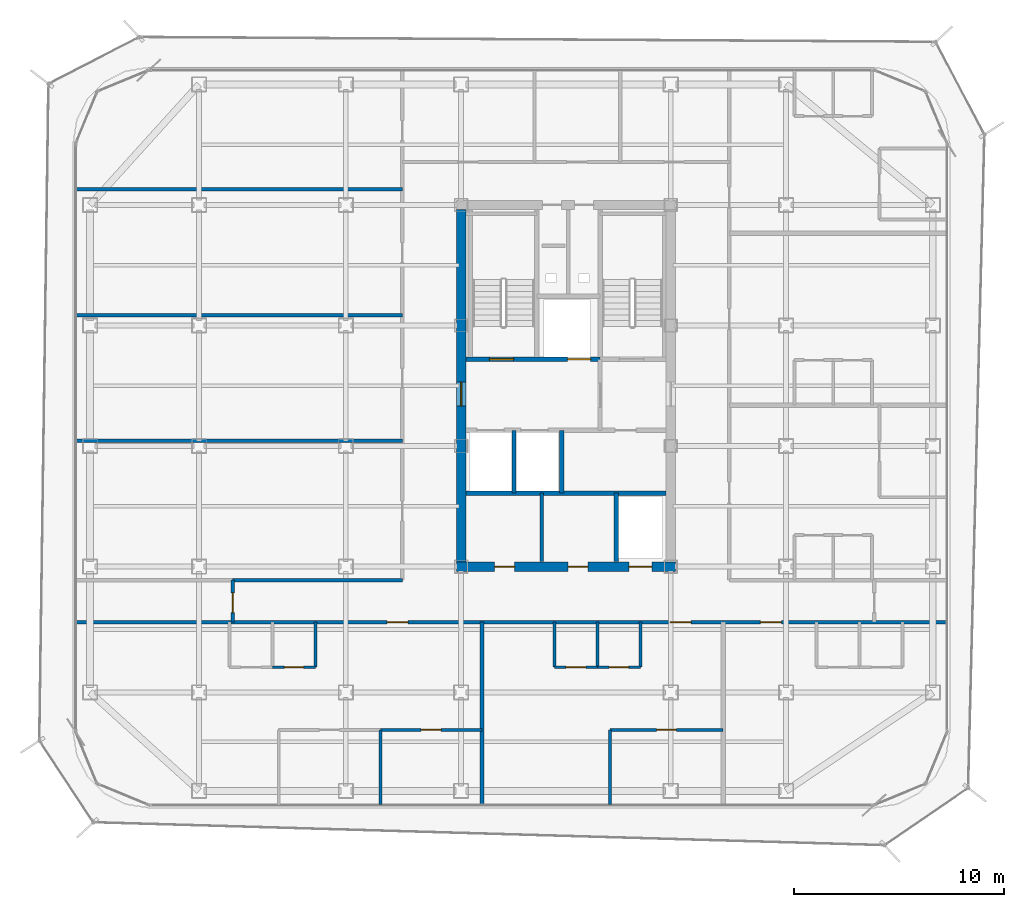
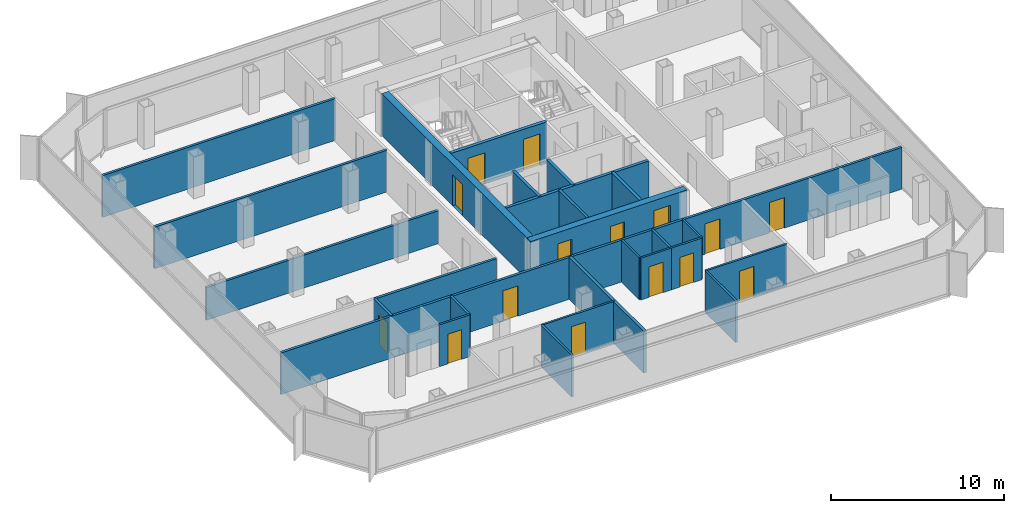
# One storey, part 10 of 15: 26 walls, 15 doors, 15 openings.
"""IFC4 building model written with IfcOpenShell, lengths in metres."""

from ifc_helpers import new_model, si_unit, direction, frame, frame_2d, origin, place, context, subcontext, project, spatial, rectangle, extrude, material, layer, layer_set, type_object, element, fill, save


model = new_model("IFC4")

# Units and contexts
model_context = context("Model", 3, precision=1e-05, world=origin(), true_north=direction((0.0, 1.0)))
body_context = subcontext(model_context, "Body", "Model", "MODEL_VIEW")
ifc_project = project(units=[si_unit("LENGTHUNIT", "METRE"), si_unit("AREAUNIT", "SQUARE_METRE"), si_unit("VOLUMEUNIT", "CUBIC_METRE"), si_unit("PLANEANGLEUNIT", "RADIAN"), si_unit("MASSUNIT", "GRAM", prefix="KILO")], contexts=[model_context])

# Site, building, storey
site_placement = place(None, origin())
site = spatial("IfcSite", under=ifc_project, at=site_placement, CompositionType="ELEMENT")
building_placement = place(site_placement, origin())
building = spatial("IfcBuilding", under=site, at=building_placement, Name="Kolveth Station Tower", CompositionType="ELEMENT")
storey_placement = place(building_placement, frame((0.0, 0.0, 202.800048828125)))
storey = spatial("IfcBuildingStorey", under=building, at=storey_placement, Name="L57", CompositionType="ELEMENT", Elevation=202.800048828125)

# Wall, openings, doors
ifc_material_1 = material(Name="Concrete C50/60", Category="concrete")
ifc_layer_1 = layer(ifc_material_1, 0.449951171875)
ifc_layer_set_1 = layer_set([ifc_layer_1], Name="Concrete C50/60")
wall_type_1 = type_object("IfcWallType", Name="Wall_CW-450", PredefinedType="SHEAR", material=ifc_layer_set_1)
wall_1_placement = place(storey_placement, frame((18.27490234375, 11.5, 0.0), z_axis=(0.0, 0.0, 1.0), x_axis=(1.0, 0.0, 0.0)))
wall_1 = element("IfcWall", 1, at=wall_1_placement, inside=storey, type_object=wall_type_1, Name="L57 Core RC Shear Wall S", PredefinedType="SHEAR", context=body_context, shape_type="SweptSolid", body=[
    extrude(rectangle(XDim=10.4501953125, YDim=0.449951171875, at=frame_2d((5.22509765625, 0.0))), origin(), (0.0, 0.0, 1.0), 2.949951171875),
])
opening_1_placement = place(wall_1_placement, frame((1.824951171875, 0.0, 0.0)))
opening_1 = element("IfcOpeningElement", 2, at=opening_1_placement, cuts=wall_1, Name="Opening ID1", PredefinedType="OPENING", context=body_context, shape_type="SweptSolid", body=[
    extrude(rectangle(XDim=0.949951171875, YDim=2.14990234375, at=frame_2d((0.47509765625, 1.074951171875))), frame((0.0, 0.23486328125, 0.0), z_axis=(0.0, -1.0, 0.0), x_axis=(1.0, 0.0, 0.0)), (0.0, 0.0, 1.0), 0.469970703125),
])
opening_2_placement = place(wall_1_placement, frame((5.324951171875, 0.0, 0.0)))
opening_2 = element("IfcOpeningElement", 3, at=opening_2_placement, cuts=wall_1, Name="Opening ID1", PredefinedType="OPENING", context=body_context, shape_type="SweptSolid", body=[
    extrude(rectangle(XDim=0.949951171875, YDim=2.14990234375, at=frame_2d((0.47509765625, 1.074951171875))), frame((0.0, 0.23486328125, 0.0), z_axis=(0.0, -1.0, 0.0), x_axis=(1.0, 0.0, 0.0)), (0.0, 0.0, 1.0), 0.469970703125),
])
opening_3_placement = place(wall_1_placement, frame((8.22509765625, 0.0, 0.0)))
opening_3 = element("IfcOpeningElement", 4, at=opening_3_placement, cuts=wall_1, Name="Opening LD1", PredefinedType="OPENING", context=body_context, shape_type="SweptSolid", body=[
    extrude(rectangle(XDim=1.10009765625, YDim=2.25, at=frame_2d((0.550048828125, 1.125))), frame((0.0, 0.23486328125, 0.0), z_axis=(0.0, -1.0, 0.0), x_axis=(1.0, 0.0, 0.0)), (0.0, 0.0, 1.0), 0.469970703125),
])
ifc_material_2 = material(Name="Acoustic hardwood leaf and aluminium frame", Category="wood")
door_type_1 = type_object("IfcDoorType", Name="Door_ID1", OperationType="NOTDEFINED", PredefinedType="DOOR", material=ifc_material_2)
door_1_placement = place(opening_1_placement, frame((0.949951171875, 0.0, 0.0), z_axis=(0.0, 0.0, 1.0), x_axis=(-1.0, 0.0, 0.0)))
door_1 = element("IfcDoor", 5, at=door_1_placement, inside=storey, type_object=door_type_1, Name="L57 Laundry Room Door", OperationType="SINGLE_SWING_LEFT", OverallHeight=2.14990234375, OverallWidth=0.949951171875, PredefinedType="DOOR", context=body_context, shape_type="SweptSolid", body=[
    extrude(rectangle(XDim=0.949951171875, YDim=2.14990234375, at=frame_2d((0.47509765625, 1.074951171875))), frame((0.0, 0.02490234375, 0.0), z_axis=(0.0, -1.0, 0.0), x_axis=(1.0, 0.0, 0.0)), (0.0, 0.0, 1.0), 0.050048828125),
])
fill(opening_1, door_1)
door_2_placement = place(opening_2_placement, frame((0.949951171875, 0.0, 0.0), z_axis=(0.0, 0.0, 1.0), x_axis=(-1.0, 0.0, 0.0)))
door_2 = element("IfcDoor", 6, at=door_2_placement, inside=storey, type_object=door_type_1, Name="L57 Parcel Room Door", OperationType="SINGLE_SWING_LEFT", OverallHeight=2.14990234375, OverallWidth=0.949951171875, PredefinedType="DOOR", context=body_context, shape_type="SweptSolid", body=[
    extrude(rectangle(XDim=0.949951171875, YDim=2.14990234375, at=frame_2d((0.47509765625, 1.074951171875))), frame((0.0, 0.02490234375, 0.0), z_axis=(0.0, -1.0, 0.0), x_axis=(1.0, 0.0, 0.0)), (0.0, 0.0, 1.0), 0.050048828125),
])
fill(opening_2, door_2)
ifc_material_3 = material(Name="Brushed stainless steel sliding landing doors", Category="steel")
door_type_2 = type_object("IfcDoorType", Name="Door_LD1", OperationType="NOTDEFINED", PredefinedType="DOOR", material=ifc_material_3)
door_3_placement = place(opening_3_placement, frame((1.10009765625, 0.0, 0.0), z_axis=(0.0, 0.0, 1.0), x_axis=(-1.0, 0.0, 0.0)))
door_3 = element("IfcDoor", 7, at=door_3_placement, inside=storey, type_object=door_type_2, Name="L57 Lift PH1 Landing Door", OperationType="DOUBLE_DOOR_SLIDING", OverallHeight=2.25, OverallWidth=1.10009765625, PredefinedType="DOOR", context=body_context, shape_type="SweptSolid", body=[
    extrude(rectangle(XDim=1.10009765625, YDim=2.25, at=frame_2d((0.550048828125, 1.125))), frame((0.0, 0.02490234375, 0.0), z_axis=(0.0, -1.0, 0.0), x_axis=(1.0, 0.0, 0.0)), (0.0, 0.0, 1.0), 0.050048828125),
])
fill(opening_3, door_3)

# Wall, opening, door
wall_2_placement = place(storey_placement, frame((18.5, 11.72509765625, 0.0), z_axis=(0.0, 0.0, 1.0), x_axis=(0.0, 1.0, 0.0)))
wall_2 = element("IfcWall", 8, at=wall_2_placement, inside=storey, type_object=wall_type_1, Name="L57 Core RC Shear Wall W", PredefinedType="SHEAR", context=body_context, shape_type="SweptSolid", body=[
    extrude(rectangle(XDim=16.7998046875, YDim=0.449951171875, at=frame_2d((8.39990234375, 0.0))), origin(), (0.0, 0.0, 1.0), 2.949951171875),
])
opening_4_placement = place(wall_2_placement, frame((7.425048828125, 0.0, 0.0)))
opening_4 = element("IfcOpeningElement", 9, at=opening_4_placement, cuts=wall_2, Name="Opening FD1", PredefinedType="OPENING", context=body_context, shape_type="SweptSolid", body=[
    extrude(rectangle(XDim=1.14990234375, YDim=2.199951171875, at=frame_2d((0.574951171875, 1.10009765625))), frame((0.0, 0.23486328125, 0.0), z_axis=(0.0, -1.0, 0.0), x_axis=(1.0, 0.0, 0.0)), (0.0, 0.0, 1.0), 0.469970703125),
])
ifc_material_4 = material(Name="Fire-rated Steel S355 leaf and frame", Category="steel")
door_type_3 = type_object("IfcDoorType", Name="Door_FD1", OperationType="NOTDEFINED", PredefinedType="DOOR", material=ifc_material_4)
door_4_placement = place(opening_4_placement, frame((1.14990234375, 0.0, 0.0), z_axis=(0.0, 0.0, 1.0), x_axis=(-1.0, 0.0, 0.0)))
door_4 = element("IfcDoor", 10, at=door_4_placement, inside=storey, type_object=door_type_3, Name="L57 West Corridor to Firefighting Lobby Door", OperationType="SINGLE_SWING_RIGHT", OverallHeight=2.199951171875, OverallWidth=1.14990234375, PredefinedType="DOOR", context=body_context, shape_type="SweptSolid", body=[
    extrude(rectangle(XDim=1.14990234375, YDim=2.199951171875, at=frame_2d((0.574951171875, 1.10009765625))), frame((0.0, 0.02490234375, 0.0), z_axis=(0.0, -1.0, 0.0), x_axis=(1.0, 0.0, 0.0)), (0.0, 0.0, 1.0), 0.050048828125),
])
fill(opening_4, door_4)

ifc_material_5 = material(Name="Moisture-resistant gypsum partition")
ifc_layer_2 = layer(ifc_material_5, 0.135009765625)
ifc_layer_set_2 = layer_set([ifc_layer_2], Name="Moisture-resistant gypsum partition")
wall_type_2 = type_object("IfcWallType", Name="Wall_IW-135", PredefinedType="PARTITIONING", material=ifc_layer_set_2)
wall_3_placement = place(storey_placement, frame((9.5, 6.699951171875, 0.0), z_axis=(0.0, 0.0, 1.0), x_axis=(1.0, 0.0, 0.0)))
wall_3 = element("IfcWall", 11, at=wall_3_placement, inside=storey, type_object=wall_type_2, Name="L57 Partition Wall WL-L57-A1-IBHB", PredefinedType="PARTITIONING", context=body_context, shape_type="SweptSolid", body=[
    extrude(rectangle(XDim=2.050048828125, YDim=0.135009765625, at=frame_2d((1.02490234375, 0.0))), origin(), (0.0, 0.0, 1.0), 2.949951171875),
])
opening_5_placement = place(wall_3_placement, frame((0.56494140625, 0.0, 0.0)))
opening_5 = element("IfcOpeningElement", 12, at=opening_5_placement, cuts=wall_3, Name="Opening ID2", PredefinedType="OPENING", context=body_context, shape_type="SweptSolid", body=[
    extrude(rectangle(XDim=0.919921875, YDim=2.10009765625, at=frame_2d((0.4599609375, 1.050048828125))), frame((0.0, 0.077392578125, 0.0), z_axis=(0.0, -1.0, 0.0), x_axis=(1.0, 0.0, 0.0)), (0.0, 0.0, 1.0), 0.155029296875),
])
ifc_material_6 = material(Name="Moisture-resistant hardwood leaf", Category="wood")
door_type_4 = type_object("IfcDoorType", Name="Door_ID2", OperationType="NOTDEFINED", PredefinedType="DOOR", material=ifc_material_6)
door_5_placement = place(opening_5_placement, origin())
door_5 = element("IfcDoor", 13, at=door_5_placement, inside=storey, type_object=door_type_4, Name="Penthouse Flat L57-A1 Bathroom Door", OperationType="SINGLE_SWING_LEFT", OverallHeight=2.10009765625, OverallWidth=0.919921875, PredefinedType="DOOR", context=body_context, shape_type="SweptSolid", body=[
    extrude(rectangle(XDim=0.919921875, YDim=2.10009765625, at=frame_2d((0.4599609375, 1.050048828125))), frame((0.0, 0.02490234375, 0.0), z_axis=(0.0, -1.0, 0.0), x_axis=(1.0, 0.0, 0.0)), (0.0, 0.0, 1.0), 0.050048828125),
])
fill(opening_5, door_5)

# Wall
wall_4_placement = place(storey_placement, frame((11.550048828125, 6.699951171875, 0.0), z_axis=(0.0, 0.0, 1.0), x_axis=(0.0, 1.0, 0.0)))
element("IfcWall", 14, at=wall_4_placement, inside=storey, type_object=wall_type_2, Name="L57 Partition Wall WL-L57-A1-IBV2", PredefinedType="PARTITIONING", context=body_context, shape_type="SweptSolid", body=[
    extrude(rectangle(XDim=2.150146484375, YDim=0.135009765625, at=frame_2d((1.0751953125, 0.0))), origin(), (0.0, 0.0, 1.0), 2.949951171875),
])

# Wall, opening, door
wall_5_placement = place(storey_placement, frame((14.6484375, 3.7099609375, 0.0), z_axis=(0.0, 0.0, 1.0), x_axis=(1.0, 0.0, 0.0)))
wall_5 = element("IfcWall", 15, at=wall_5_placement, inside=storey, type_object=wall_type_2, Name="L57 Partition Wall WL-L57-A1-BDH2", PredefinedType="PARTITIONING", context=body_context, shape_type="SweptSolid", body=[
    extrude(rectangle(XDim=4.8515625, YDim=0.135009765625, at=frame_2d((2.42578125, 0.0))), origin(), (0.0, 0.0, 1.0), 2.949951171875),
])
opening_6_placement = place(wall_5_placement, frame((1.946044921875, 0.0, 0.0)))
opening_6 = element("IfcOpeningElement", 16, at=opening_6_placement, cuts=wall_5, Name="Opening ID1", PredefinedType="OPENING", context=body_context, shape_type="SweptSolid", body=[
    extrude(rectangle(XDim=0.949951171875, YDim=2.14990234375, at=frame_2d((0.47509765625, 1.074951171875))), frame((0.0, 0.077392578125, 0.0), z_axis=(0.0, -1.0, 0.0), x_axis=(1.0, 0.0, 0.0)), (0.0, 0.0, 1.0), 0.155029296875),
])
door_6_placement = place(opening_6_placement, frame((0.949951171875, 0.0, 0.0), z_axis=(0.0, 0.0, 1.0), x_axis=(-1.0, 0.0, 0.0)))
door_6 = element("IfcDoor", 17, at=door_6_placement, inside=storey, type_object=door_type_1, Name="Penthouse Flat L57-A1 Bedroom 2 Door", OperationType="SINGLE_SWING_LEFT", OverallHeight=2.14990234375, OverallWidth=0.949951171875, PredefinedType="DOOR", context=body_context, shape_type="SweptSolid", body=[
    extrude(rectangle(XDim=0.949951171875, YDim=2.14990234375, at=frame_2d((0.47509765625, 1.074951171875))), frame((0.0, 0.02490234375, 0.0), z_axis=(0.0, -1.0, 0.0), x_axis=(1.0, 0.0, 0.0)), (0.0, 0.0, 1.0), 0.050048828125),
])
fill(opening_6, door_6)

# Wall
wall_6_placement = place(storey_placement, frame((14.6484375, 0.159912109375, 0.0), z_axis=(0.0, 0.0, 1.0), x_axis=(0.0, 1.0, 0.0)))
element("IfcWall", 18, at=wall_6_placement, inside=storey, type_object=wall_type_2, Name="L57 Partition Wall WL-L57-A1-BDV1", PredefinedType="PARTITIONING", context=body_context, shape_type="SweptSolid", body=[
    extrude(rectangle(XDim=3.550048828125, YDim=0.135009765625, at=frame_2d((1.77490234375, 0.0))), origin(), (0.0, 0.0, 1.0), 2.949951171875),
])

# Wall, opening, door
wall_7_placement = place(storey_placement, frame((22.949951171875, 6.699951171875, 0.0), z_axis=(0.0, 0.0, 1.0), x_axis=(1.0, 0.0, 0.0)))
wall_7 = element("IfcWall", 19, at=wall_7_placement, inside=storey, type_object=wall_type_2, Name="L57 Partition Wall WL-L57-A2-IBHK", PredefinedType="PARTITIONING", context=body_context, shape_type="SweptSolid", body=[
    extrude(rectangle(XDim=2.050048828125, YDim=0.135009765625, at=frame_2d((1.02490234375, 0.0))), origin(), (0.0, 0.0, 1.0), 2.949951171875),
])
opening_7_placement = place(wall_7_placement, frame((0.544921875, 0.0, 0.0)))
opening_7 = element("IfcOpeningElement", 20, at=opening_7_placement, cuts=wall_7, Name="Opening ID1", PredefinedType="OPENING", context=body_context, shape_type="SweptSolid", body=[
    extrude(rectangle(XDim=0.949951171875, YDim=2.14990234375, at=frame_2d((0.47509765625, 1.074951171875))), frame((0.0, 0.077392578125, 0.0), z_axis=(0.0, -1.0, 0.0), x_axis=(1.0, 0.0, 0.0)), (0.0, 0.0, 1.0), 0.155029296875),
])
door_7_placement = place(opening_7_placement, origin())
door_7 = element("IfcDoor", 21, at=door_7_placement, inside=storey, type_object=door_type_1, Name="Flat L57-A2 Kitchen Door", OperationType="SINGLE_SWING_LEFT", OverallHeight=2.14990234375, OverallWidth=0.949951171875, PredefinedType="DOOR", context=body_context, shape_type="SweptSolid", body=[
    extrude(rectangle(XDim=0.949951171875, YDim=2.14990234375, at=frame_2d((0.47509765625, 1.074951171875))), frame((0.0, 0.02490234375, 0.0), z_axis=(0.0, -1.0, 0.0), x_axis=(1.0, 0.0, 0.0)), (0.0, 0.0, 1.0), 0.050048828125),
])
fill(opening_7, door_7)

wall_8_placement = place(storey_placement, frame((25.0, 6.699951171875, 0.0), z_axis=(0.0, 0.0, 1.0), x_axis=(1.0, 0.0, 0.0)))
wall_8 = element("IfcWall", 22, at=wall_8_placement, inside=storey, type_object=wall_type_2, Name="L57 Partition Wall WL-L57-A2-IBHB", PredefinedType="PARTITIONING", context=body_context, shape_type="SweptSolid", body=[
    extrude(rectangle(XDim=2.050048828125, YDim=0.135009765625, at=frame_2d((1.02490234375, 0.0))), origin(), (0.0, 0.0, 1.0), 2.949951171875),
])
opening_8_placement = place(wall_8_placement, frame((0.56494140625, 0.0, 0.0)))
opening_8 = element("IfcOpeningElement", 23, at=opening_8_placement, cuts=wall_8, Name="Opening ID2", PredefinedType="OPENING", context=body_context, shape_type="SweptSolid", body=[
    extrude(rectangle(XDim=0.919921875, YDim=2.10009765625, at=frame_2d((0.4599609375, 1.050048828125))), frame((0.0, 0.077392578125, 0.0), z_axis=(0.0, -1.0, 0.0), x_axis=(1.0, 0.0, 0.0)), (0.0, 0.0, 1.0), 0.155029296875),
])
door_8_placement = place(opening_8_placement, origin())
door_8 = element("IfcDoor", 24, at=door_8_placement, inside=storey, type_object=door_type_4, Name="Flat L57-A2 Bathroom Door", OperationType="SINGLE_SWING_RIGHT", OverallHeight=2.10009765625, OverallWidth=0.919921875, PredefinedType="DOOR", context=body_context, shape_type="SweptSolid", body=[
    extrude(rectangle(XDim=0.919921875, YDim=2.10009765625, at=frame_2d((0.4599609375, 1.050048828125))), frame((0.0, 0.02490234375, 0.0), z_axis=(0.0, -1.0, 0.0), x_axis=(1.0, 0.0, 0.0)), (0.0, 0.0, 1.0), 0.050048828125),
])
fill(opening_8, door_8)

# Walls
for number, where, z_axis, x_axis, name in (
    (25, (22.949951171875, 6.699951171875, 0.0), (0.0, 0.0, 1.0), (0.0, 1.0, 0.0), "L57 Partition Wall WL-L57-A2-IBV0"),
    (26, (25.0, 6.699951171875, 0.0), (0.0, 0.0, 1.0), (0.0, 1.0, 0.0), "L57 Partition Wall WL-L57-A2-IBV1"),
    (27, (27.050048828125, 6.699951171875, 0.0), (0.0, 0.0, 1.0), (0.0, 1.0, 0.0), "L57 Partition Wall WL-L57-A2-IBV2"),
):
    element("IfcWall", number, at=place(storey_placement, frame(where, z_axis=z_axis, x_axis=x_axis)), inside=storey, type_object=wall_type_2, Name=name, PredefinedType="PARTITIONING", context=body_context, shape_type="SweptSolid", body=[
        extrude(rectangle(XDim=2.150146484375, YDim=0.135009765625, at=frame_2d((1.0751953125, 0.0))), origin(), (0.0, 0.0, 1.0), 2.949951171875),
    ])
wall_9_placement = place(storey_placement, frame((25.60595703125, 0.159912109375, 0.0), z_axis=(0.0, 0.0, 1.0), x_axis=(0.0, 1.0, 0.0)))
element("IfcWall", 28, at=wall_9_placement, inside=storey, type_object=wall_type_2, Name="L57 Partition Wall WL-L57-A2-BDV0", PredefinedType="PARTITIONING", context=body_context, shape_type="SweptSolid", body=[
    extrude(rectangle(XDim=3.550048828125, YDim=0.135009765625, at=frame_2d((1.77490234375, 0.0))), origin(), (0.0, 0.0, 1.0), 2.949951171875),
])

# Wall, opening, door
wall_10_placement = place(storey_placement, frame((25.60595703125, 3.7099609375, 0.0), z_axis=(0.0, 0.0, 1.0), x_axis=(1.0, 0.0, 0.0)))
wall_10 = element("IfcWall", 29, at=wall_10_placement, inside=storey, type_object=wall_type_2, Name="L57 Partition Wall WL-L57-A2-BDH1", PredefinedType="PARTITIONING", context=body_context, shape_type="SweptSolid", body=[
    extrude(rectangle(XDim=5.39404296875, YDim=0.135009765625, at=frame_2d((2.697021484375, 0.0))), origin(), (0.0, 0.0, 1.0), 2.949951171875),
])
opening_9_placement = place(wall_10_placement, frame((2.217041015625, 0.0, 0.0)))
opening_9 = element("IfcOpeningElement", 30, at=opening_9_placement, cuts=wall_10, Name="Opening ID1", PredefinedType="OPENING", context=body_context, shape_type="SweptSolid", body=[
    extrude(rectangle(XDim=0.949951171875, YDim=2.14990234375, at=frame_2d((0.47509765625, 1.074951171875))), frame((0.0, 0.077392578125, 0.0), z_axis=(0.0, -1.0, 0.0), x_axis=(1.0, 0.0, 0.0)), (0.0, 0.0, 1.0), 0.155029296875),
])
door_9_placement = place(opening_9_placement, frame((0.949951171875, 0.0, 0.0), z_axis=(0.0, 0.0, 1.0), x_axis=(-1.0, 0.0, 0.0)))
door_9 = element("IfcDoor", 31, at=door_9_placement, inside=storey, type_object=door_type_1, Name="Flat L57-A2 Bedroom 1 Door", OperationType="SINGLE_SWING_LEFT", OverallHeight=2.14990234375, OverallWidth=0.949951171875, PredefinedType="DOOR", context=body_context, shape_type="SweptSolid", body=[
    extrude(rectangle(XDim=0.949951171875, YDim=2.14990234375, at=frame_2d((0.47509765625, 1.074951171875))), frame((0.0, 0.02490234375, 0.0), z_axis=(0.0, -1.0, 0.0), x_axis=(1.0, 0.0, 0.0)), (0.0, 0.0, 1.0), 0.050048828125),
])
fill(opening_9, door_9)

# Wall
ifc_material_7 = material(Name="Acoustic double-stud gypsum partition")
ifc_layer_3 = layer(ifc_material_7, 0.1650390625)
ifc_layer_set_3 = layer_set([ifc_layer_3], Name="Acoustic double-stud gypsum partition")
wall_type_3 = type_object("IfcWallType", Name="Wall_IW-165", PredefinedType="PARTITIONING", material=ifc_layer_set_3)
wall_11_placement = place(storey_placement, frame((22.35009765625, 11.735107421875, 0.0), z_axis=(0.0, 0.0, 1.0), x_axis=(0.0, 1.0, 0.0)))
element("IfcWall", 32, at=wall_11_placement, inside=storey, type_object=wall_type_3, Name="L57 Partition Wall WL-L57-FR-M", PredefinedType="PARTITIONING", context=body_context, shape_type="SweptSolid", body=[
    extrude(rectangle(XDim=3.264892578125, YDim=0.1650390625, at=frame_2d((1.63232421875, 0.0))), origin(), (0.0, 0.0, 1.0), 2.949951171875),
])

# Wall, openings, doors
wall_12_placement = place(storey_placement, frame((0.159912109375, 8.85009765625, 0.0), z_axis=(0.0, 0.0, 1.0), x_axis=(1.0, 0.0, 0.0)))
wall_12 = element("IfcWall", 33, at=wall_12_placement, inside=storey, type_object=wall_type_3, Name="L57 Partition Wall WL-L57-RS", PredefinedType="PARTITIONING", context=body_context, shape_type="SweptSolid", body=[
    extrude(rectangle(XDim=41.47998046875, YDim=0.1650390625, at=frame_2d((20.739990234375, 0.0))), origin(), (0.0, 0.0, 1.0), 2.949951171875),
])
opening_10_placement = place(wall_12_placement, frame((14.81494140625, 0.0, 0.0)))
opening_10 = element("IfcOpeningElement", 34, at=opening_10_placement, cuts=wall_12, Name="Opening FD3", PredefinedType="OPENING", context=body_context, shape_type="SweptSolid", body=[
    extrude(rectangle(XDim=1.0, YDim=2.14990234375, at=frame_2d((0.5, 1.074951171875))), frame((0.0, 0.092529296875, 0.0), z_axis=(0.0, -1.0, 0.0), x_axis=(1.0, 0.0, 0.0)), (0.0, 0.0, 1.0), 0.18505859375),
])
opening_11_placement = place(wall_12_placement, frame((28.31494140625, 0.0, 0.0)))
opening_11 = element("IfcOpeningElement", 35, at=opening_11_placement, cuts=wall_12, Name="Opening FD3", PredefinedType="OPENING", context=body_context, shape_type="SweptSolid", body=[
    extrude(rectangle(XDim=1.0, YDim=2.14990234375, at=frame_2d((0.5, 1.074951171875))), frame((0.0, 0.092529296875, 0.0), z_axis=(0.0, -1.0, 0.0), x_axis=(1.0, 0.0, 0.0)), (0.0, 0.0, 1.0), 0.18505859375),
])
opening_12_placement = place(wall_12_placement, frame((32.614990234375, 0.0, 0.0)))
opening_12 = element("IfcOpeningElement", 36, at=opening_12_placement, cuts=wall_12, Name="Opening FD3", PredefinedType="OPENING", context=body_context, shape_type="SweptSolid", body=[
    extrude(rectangle(XDim=1.0, YDim=2.14990234375, at=frame_2d((0.5, 1.074951171875))), frame((0.0, 0.092529296875, 0.0), z_axis=(0.0, -1.0, 0.0), x_axis=(1.0, 0.0, 0.0)), (0.0, 0.0, 1.0), 0.18505859375),
])
ifc_material_8 = material(Name="Fire-rated hardwood leaf and aluminium frame", Category="wood")
door_type_5 = type_object("IfcDoorType", Name="Door_FD3", OperationType="NOTDEFINED", PredefinedType="DOOR", material=ifc_material_8)
door_10_placement = place(opening_10_placement, frame((1.0, 0.0, 0.0), z_axis=(0.0, 0.0, 1.0), x_axis=(-1.0, 0.0, 0.0)))
door_10 = element("IfcDoor", 37, at=door_10_placement, inside=storey, type_object=door_type_5, Name="Penthouse Flat L57-A1 Entrance Door", OperationType="SINGLE_SWING_RIGHT", OverallHeight=2.14990234375, OverallWidth=1.0, PredefinedType="DOOR", context=body_context, shape_type="SweptSolid", body=[
    extrude(rectangle(XDim=1.0, YDim=2.14990234375, at=frame_2d((0.5, 1.074951171875))), frame((0.0, 0.02490234375, 0.0), z_axis=(0.0, -1.0, 0.0), x_axis=(1.0, 0.0, 0.0)), (0.0, 0.0, 1.0), 0.050048828125),
])
fill(opening_10, door_10)
door_11_placement = place(opening_11_placement, frame((1.0, 0.0, 0.0), z_axis=(0.0, 0.0, 1.0), x_axis=(-1.0, 0.0, 0.0)))
door_11 = element("IfcDoor", 38, at=door_11_placement, inside=storey, type_object=door_type_5, Name="Flat L57-A2 Entrance Door", OperationType="SINGLE_SWING_LEFT", OverallHeight=2.14990234375, OverallWidth=1.0, PredefinedType="DOOR", context=body_context, shape_type="SweptSolid", body=[
    extrude(rectangle(XDim=1.0, YDim=2.14990234375, at=frame_2d((0.5, 1.074951171875))), frame((0.0, 0.02490234375, 0.0), z_axis=(0.0, -1.0, 0.0), x_axis=(1.0, 0.0, 0.0)), (0.0, 0.0, 1.0), 0.050048828125),
])
fill(opening_11, door_11)
door_12_placement = place(opening_12_placement, frame((1.0, 0.0, 0.0), z_axis=(0.0, 0.0, 1.0), x_axis=(-1.0, 0.0, 0.0)))
door_12 = element("IfcDoor", 39, at=door_12_placement, inside=storey, type_object=door_type_5, Name="Flat L57-A3 Entrance Door", OperationType="SINGLE_SWING_LEFT", OverallHeight=2.14990234375, OverallWidth=1.0, PredefinedType="DOOR", context=body_context, shape_type="SweptSolid", body=[
    extrude(rectangle(XDim=1.0, YDim=2.14990234375, at=frame_2d((0.5, 1.074951171875))), frame((0.0, 0.02490234375, 0.0), z_axis=(0.0, -1.0, 0.0), x_axis=(1.0, 0.0, 0.0)), (0.0, 0.0, 1.0), 0.050048828125),
])
fill(opening_12, door_12)

# Wall
wall_13_placement = place(storey_placement, frame((7.60009765625, 10.85009765625, 0.0), z_axis=(0.0, 0.0, 1.0), x_axis=(1.0, 0.0, 0.0)))
element("IfcWall", 40, at=wall_13_placement, inside=storey, type_object=wall_type_3, Name="L57 Partition Wall WL-L57-RSWT", PredefinedType="PARTITIONING", context=body_context, shape_type="SweptSolid", body=[
    extrude(rectangle(XDim=8.099853515625, YDim=0.1650390625, at=frame_2d((4.0498046875, 0.0))), origin(), (0.0, 0.0, 1.0), 2.949951171875),
])

# Wall, opening, door
wall_14_placement = place(storey_placement, frame((7.60009765625, 8.85009765625, 0.0), z_axis=(0.0, 0.0, 1.0), x_axis=(0.0, 1.0, 0.0)))
wall_14 = element("IfcWall", 41, at=wall_14_placement, inside=storey, type_object=wall_type_3, Name="L57 Partition Wall WL-L57-RSWE", PredefinedType="PARTITIONING", context=body_context, shape_type="SweptSolid", body=[
    extrude(rectangle(XDim=2.0, YDim=0.1650390625, at=frame_2d((1.0, 0.0))), origin(), (0.0, 0.0, 1.0), 2.949951171875),
])
opening_13_placement = place(wall_14_placement, frame((0.449951171875, 0.0, 0.0)))
opening_13 = element("IfcOpeningElement", 42, at=opening_13_placement, cuts=wall_14, Name="Opening ID1", PredefinedType="OPENING", context=body_context, shape_type="SweptSolid", body=[
    extrude(rectangle(XDim=0.949951171875, YDim=2.14990234375, at=frame_2d((0.47509765625, 1.074951171875))), frame((0.0, 0.092529296875, 0.0), z_axis=(0.0, -1.0, 0.0), x_axis=(1.0, 0.0, 0.0)), (0.0, 0.0, 1.0), 0.18505859375),
])
door_13_placement = place(opening_13_placement, frame((0.949951171875, 0.0, 0.0), z_axis=(0.0, 0.0, 1.0), x_axis=(-1.0, 0.0, 0.0)))
door_13 = element("IfcDoor", 43, at=door_13_placement, inside=storey, type_object=door_type_1, Name="L57 West Store Door", OperationType="SINGLE_SWING_RIGHT", OverallHeight=2.14990234375, OverallWidth=0.949951171875, PredefinedType="DOOR", context=body_context, shape_type="SweptSolid", body=[
    extrude(rectangle(XDim=0.949951171875, YDim=2.14990234375, at=frame_2d((0.47509765625, 1.074951171875))), frame((0.0, 0.02490234375, 0.0), z_axis=(0.0, -1.0, 0.0), x_axis=(1.0, 0.0, 0.0)), (0.0, 0.0, 1.0), 0.050048828125),
])
fill(opening_13, door_13)

# Walls
wall_15_placement = place(storey_placement, frame((0.159912109375, 17.5, 0.0), z_axis=(0.0, 0.0, 1.0), x_axis=(1.0, 0.0, 0.0)))
element("IfcWall", 44, at=wall_15_placement, inside=storey, type_object=wall_type_3, Name="L57 Partition Wall WL-L57-RWA-P1", PredefinedType="PARTITIONING", context=body_context, shape_type="SweptSolid", body=[
    extrude(rectangle(XDim=15.5400390625, YDim=0.1650390625, at=frame_2d((7.77001953125, 0.0))), origin(), (0.0, 0.0, 1.0), 2.322998046875),
])
for number, where, z_axis, x_axis, name in (
    (45, (0.159912109375, 23.5, 0.0), (0.0, 0.0, 1.0), (1.0, 0.0, 0.0), "L57 Partition Wall WL-L57-RWA-P2"),
    (46, (0.159912109375, 29.5, 0.0), (0.0, 0.0, 1.0), (1.0, 0.0, 0.0), "L57 Partition Wall WL-L57-RWA-P3"),
):
    element("IfcWall", number, at=place(storey_placement, frame(where, z_axis=z_axis, x_axis=x_axis)), inside=storey, type_object=wall_type_3, Name=name, PredefinedType="PARTITIONING", context=body_context, shape_type="SweptSolid", body=[
        extrude(rectangle(XDim=15.5400390625, YDim=0.1650390625, at=frame_2d((7.77001953125, 0.0))), origin(), (0.0, 0.0, 1.0), 2.949951171875),
    ])
ifc_material_9 = material(Name="Acoustic fire-rated gypsum blockwork", Category="masonry")
ifc_layer_4 = layer(ifc_material_9, 0.199951171875)
ifc_layer_set_4 = layer_set([ifc_layer_4], Name="Acoustic fire-rated gypsum blockwork")
wall_type_4 = type_object("IfcWallType", Name="Wall_IW-200", PredefinedType="PARTITIONING", material=ifc_layer_set_4)
for number, where, z_axis, x_axis, name in (
    (47, (21.02001953125, 15.0, 0.0), (0.0, 0.0, 1.0), (0.0, 1.0, 0.0), "L57 Partition Wall WL-L57-FF12"),
    (48, (23.300048828125, 15.0, 0.0), (0.0, 0.0, 1.0), (0.0, 1.0, 0.0), "L57 Partition Wall WL-L57-FF2E"),
):
    element("IfcWall", number, at=place(storey_placement, frame(where, z_axis=z_axis, x_axis=x_axis)), inside=storey, type_object=wall_type_4, Name=name, PredefinedType="PARTITIONING", context=body_context, shape_type="SweptSolid", body=[
        extrude(rectangle(XDim=3.0, YDim=0.199951171875, at=frame_2d((1.5, 0.0))), origin(), (0.0, 0.0, 1.0), 2.949951171875),
    ])
wall_16_placement = place(storey_placement, frame((18.735107421875, 15.0, 0.0), z_axis=(0.0, 0.0, 1.0), x_axis=(1.0, 0.0, 0.0)))
element("IfcWall", 49, at=wall_16_placement, inside=storey, type_object=wall_type_4, Name="L57 Partition Wall WL-L57-BOH-S", PredefinedType="PARTITIONING", context=body_context, shape_type="SweptSolid", body=[
    extrude(rectangle(XDim=9.52978515625, YDim=0.199951171875, at=frame_2d((4.764892578125, 0.0))), origin(), (0.0, 0.0, 1.0), 2.949951171875),
])
wall_17_placement = place(storey_placement, frame((25.89990234375, 11.735107421875, 0.0), z_axis=(0.0, 0.0, 1.0), x_axis=(0.0, 1.0, 0.0)))
element("IfcWall", 50, at=wall_17_placement, inside=storey, type_object=wall_type_4, Name="L57 Partition Wall WL-L57-PMPH", PredefinedType="PARTITIONING", context=body_context, shape_type="SweptSolid", body=[
    extrude(rectangle(XDim=3.264892578125, YDim=0.199951171875, at=frame_2d((1.63232421875, 0.0))), origin(), (0.0, 0.0, 1.0), 2.949951171875),
])
wall_18_placement = place(storey_placement, frame((19.5, 0.159912109375, 0.0), z_axis=(0.0, 0.0, 1.0), x_axis=(0.0, 1.0, 0.0)))
element("IfcWall", 51, at=wall_18_placement, inside=storey, type_object=wall_type_4, Name="L57 Partition Wall WL-L57-RSU-1", PredefinedType="PARTITIONING", context=body_context, shape_type="SweptSolid", body=[
    extrude(rectangle(XDim=8.690185546875, YDim=0.199951171875, at=frame_2d((4.34521484375, 0.0))), origin(), (0.0, 0.0, 1.0), 2.949951171875),
])

# Wall, openings, doors
ifc_material_10 = material(Name="Concrete C40/50", Category="concrete")
ifc_layer_5 = layer(ifc_material_10, 0.219970703125)
ifc_layer_set_5 = layer_set([ifc_layer_5], Name="Concrete C40/50")
wall_type_5 = type_object("IfcWallType", Name="Wall_IW-220", PredefinedType="SOLIDWALL", material=ifc_layer_set_5)
wall_19_placement = place(storey_placement, frame((18.735107421875, 21.389892578125, 0.0), z_axis=(0.0, 0.0, 1.0), x_axis=(1.0, 0.0, 0.0)))
wall_19 = element("IfcWall", 52, at=wall_19_placement, inside=storey, type_object=wall_type_5, Name="L57 Stair Shaft Wall WL-L57-ST1-S", PredefinedType="SOLIDWALL", context=body_context, shape_type="SweptSolid", body=[
    extrude(rectangle(XDim=6.394775390625, YDim=0.219970703125, at=frame_2d((3.197265625, 0.0))), origin(), (0.0, 0.0, 1.0), 2.949951171875),
])
opening_14_placement = place(wall_19_placement, frame((1.114990234375, 0.0, 0.0)))
opening_14 = element("IfcOpeningElement", 53, at=opening_14_placement, cuts=wall_19, Name="Opening FD1", PredefinedType="OPENING", context=body_context, shape_type="SweptSolid", body=[
    extrude(rectangle(XDim=1.14990234375, YDim=2.199951171875, at=frame_2d((0.574951171875, 1.10009765625))), frame((0.0, 0.119873046875, 0.0), z_axis=(0.0, -1.0, 0.0), x_axis=(1.0, 0.0, 0.0)), (0.0, 0.0, 1.0), 0.239990234375),
])
opening_15_placement = place(wall_19_placement, frame((4.844970703125, 0.0, 0.0)))
opening_15 = element("IfcOpeningElement", 54, at=opening_15_placement, cuts=wall_19, Name="Opening LD1", PredefinedType="OPENING", context=body_context, shape_type="SweptSolid", body=[
    extrude(rectangle(XDim=1.10009765625, YDim=2.25, at=frame_2d((0.550048828125, 1.125))), frame((0.0, 0.119873046875, 0.0), z_axis=(0.0, -1.0, 0.0), x_axis=(1.0, 0.0, 0.0)), (0.0, 0.0, 1.0), 0.239990234375),
])
door_14_placement = place(opening_14_placement, frame((1.14990234375, 0.0, 0.0), z_axis=(0.0, 0.0, 1.0), x_axis=(-1.0, 0.0, 0.0)))
door_14 = element("IfcDoor", 55, at=door_14_placement, inside=storey, type_object=door_type_3, Name="L57 Stair ST1 Fire Door", OperationType="SINGLE_SWING_RIGHT", OverallHeight=2.199951171875, OverallWidth=1.14990234375, PredefinedType="DOOR", context=body_context, shape_type="SweptSolid", body=[
    extrude(rectangle(XDim=1.14990234375, YDim=2.199951171875, at=frame_2d((0.574951171875, 1.10009765625))), frame((0.0, 0.02490234375, 0.0), z_axis=(0.0, -1.0, 0.0), x_axis=(1.0, 0.0, 0.0)), (0.0, 0.0, 1.0), 0.050048828125),
])
fill(opening_14, door_14)
door_15_placement = place(opening_15_placement, frame((1.10009765625, 0.0, 0.0), z_axis=(0.0, 0.0, 1.0), x_axis=(-1.0, 0.0, 0.0)))
door_15 = element("IfcDoor", 56, at=door_15_placement, inside=storey, type_object=door_type_2, Name="L57 Service Lift SV1 Landing Door", OperationType="DOUBLE_DOOR_SLIDING", OverallHeight=2.25, OverallWidth=1.10009765625, PredefinedType="DOOR", context=body_context, shape_type="SweptSolid", body=[
    extrude(rectangle(XDim=1.10009765625, YDim=2.25, at=frame_2d((0.550048828125, 1.125))), frame((0.0, 0.02490234375, 0.0), z_axis=(0.0, -1.0, 0.0), x_axis=(1.0, 0.0, 0.0)), (0.0, 0.0, 1.0), 0.050048828125),
])
fill(opening_15, door_15)

save(model, "model.ifc")
